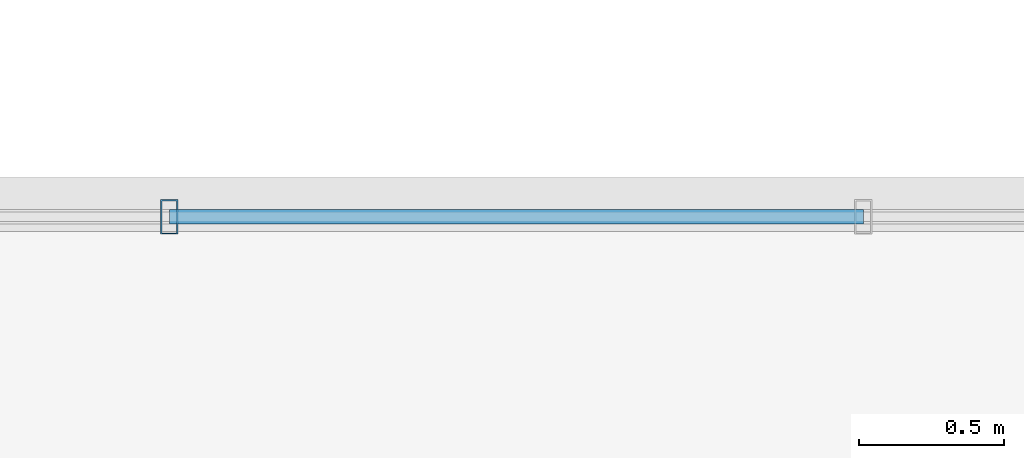
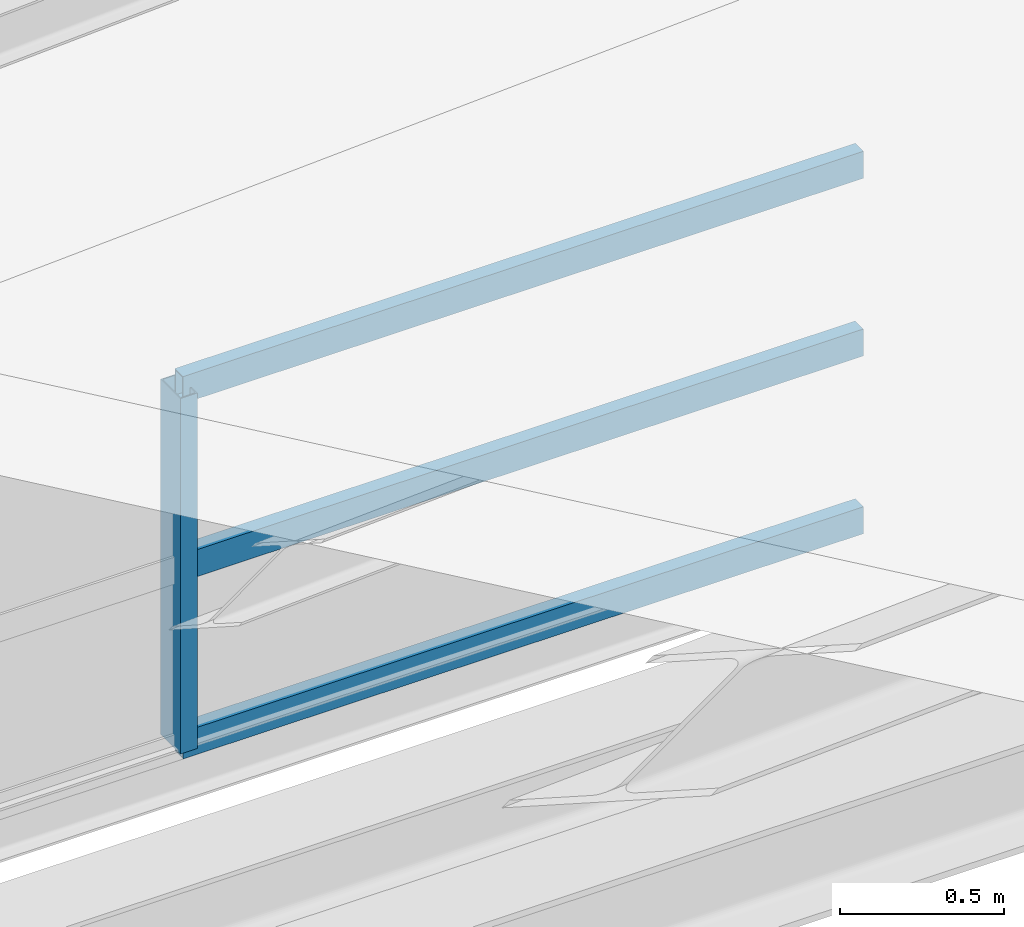
# One storey, part 6 of 141: 4 members, 1 element without a shape of its own.
"""IFC4 building model written with IfcOpenShell, lengths in metres."""

from ifc_helpers import new_model, si_unit, direction, frame, origin, origin_2d, place, context, subcontext, project, spatial, hollow_rectangle, extrude, material, material_profile, profile_set, type_object, element, aggregate, save


model = new_model("IFC4")

# Units and contexts
model_context = context("Model", 3, precision=1e-05, world=origin(), true_north=direction((0.0, 1.0)))
body_context = subcontext(model_context, "Body", "Model", "MODEL_VIEW")
ifc_project = project(units=[si_unit("LENGTHUNIT", "METRE"), si_unit("AREAUNIT", "SQUARE_METRE"), si_unit("VOLUMEUNIT", "CUBIC_METRE"), si_unit("PLANEANGLEUNIT", "RADIAN"), si_unit("MASSUNIT", "GRAM", prefix="KILO")], contexts=[model_context])

# Site, building, storey
site_placement = place(None, origin())
site = spatial("IfcSite", under=ifc_project, at=site_placement, CompositionType="ELEMENT")
building_placement = place(site_placement, origin())
building = spatial("IfcBuilding", under=site, at=building_placement, Name="Sundkrona Museum", CompositionType="ELEMENT")
storey_placement = place(building_placement, frame((0.0, 0.0, 34.0)))
storey = spatial("IfcBuildingStorey", under=building, at=storey_placement, Name="RF", CompositionType="ELEMENT", Elevation=34.0)

# Curtain wall, members
ifc_material_1 = material(Name="Unitised Aluminium-Steel and Ceramic-Clad Curtain Walling", Category="steel")
curtain_wall_type = type_object("IfcCurtainWallType", Name="CW-SW-240x13", PredefinedType="NOTDEFINED", material=ifc_material_1)
curtain_wall_placement = place(storey_placement, origin())
curtain_wall = element("IfcCurtainWall", 1, at=curtain_wall_placement, inside=storey, type_object=curtain_wall_type, Name="Sawtooth Bay 1 West North-Light Clerestory", PredefinedType="NOTDEFINED")
ifc_material_2 = material(Name="Aluminium EN AW-6060 T66", Category="aluminium")
ifc_material_profile_1 = material_profile(ifc_material_2, hollow_rectangle(XDim=0.06005859375, YDim=0.1201171875, WallThickness=0.0048828125, at=origin_2d()), Name="RHS 120x60x5.0")
ifc_profile_set_1 = profile_set([ifc_material_profile_1], Name="Aluminium EN AW-6060 T66")
member_type_1 = type_object("IfcMemberType", Name="ML-120", PredefinedType="MULLION", material=ifc_profile_set_1)
member_1_placement = place(storey_placement, frame((129.610107421875, 2.199951171875, 2.212890625), z_axis=(0.0, 0.0, 1.0), x_axis=(1.0, 0.0, 0.0)))
member_1 = element("IfcMember", 2, at=member_1_placement, type_object=member_type_1, Name="CW-RF-SAW-01W Mullion 05", PredefinedType="MULLION", context=body_context, shape_type="SweptSolid", body=[
    extrude(hollow_rectangle(XDim=0.06005859375, YDim=0.1201171875, WallThickness=0.0048828125, at=origin_2d()), origin(), (0.0, 0.0, 1.0), 1.320068359375),
])
ifc_material_profile_2 = material_profile(ifc_material_2, hollow_rectangle(XDim=0.050048828125, YDim=0.10009765625, WallThickness=0.0048828125, at=origin_2d()), Name="RHS 100x50x5.0")
ifc_profile_set_2 = profile_set([ifc_material_profile_2], Name="Aluminium EN AW-6060 T66")
member_type_2 = type_object("IfcMemberType", Name="TR-100", PredefinedType="USERDEFINED", material=ifc_profile_set_2)
member_2_placement = place(storey_placement, frame((129.610107421875, 2.199951171875, 2.212890625), z_axis=(1.0, 0.0, 0.0), x_axis=(0.0, 1.0, 0.0)))
member_2 = element("IfcMember", 3, at=member_2_placement, type_object=member_type_2, Name="CW-RF-SAW-01W Transom 13", ObjectType="TRANSOM", PredefinedType="USERDEFINED", context=body_context, shape_type="SweptSolid", body=[
    extrude(hollow_rectangle(XDim=0.050048828125, YDim=0.10009765625, WallThickness=0.0048828125, at=origin_2d()), origin(), (0.0, 0.0, 1.0), 2.389892578125),
])
member_3_placement = place(storey_placement, frame((129.610107421875, 2.199951171875, 2.873046875), z_axis=(1.0, 0.0, 0.0), x_axis=(0.0, 1.0, 0.0)))
member_3 = element("IfcMember", 4, at=member_3_placement, type_object=member_type_2, Name="CW-RF-SAW-01W Transom 14", ObjectType="TRANSOM", PredefinedType="USERDEFINED", context=body_context, shape_type="SweptSolid", body=[
    extrude(hollow_rectangle(XDim=0.050048828125, YDim=0.10009765625, WallThickness=0.0048828125, at=origin_2d()), origin(), (0.0, 0.0, 1.0), 2.389892578125),
])
member_4_placement = place(storey_placement, frame((129.610107421875, 2.199951171875, 3.532958984375), z_axis=(1.0, 0.0, 0.0), x_axis=(0.0, 1.0, 0.0)))
member_4 = element("IfcMember", 5, at=member_4_placement, type_object=member_type_2, Name="CW-RF-SAW-01W Transom 15", ObjectType="TRANSOM", PredefinedType="USERDEFINED", context=body_context, shape_type="SweptSolid", body=[
    extrude(hollow_rectangle(XDim=0.050048828125, YDim=0.10009765625, WallThickness=0.0048828125, at=origin_2d()), origin(), (0.0, 0.0, 1.0), 2.389892578125),
])
aggregate(curtain_wall, [member_1, member_2, member_3, member_4])

save(model, "model.ifc")
